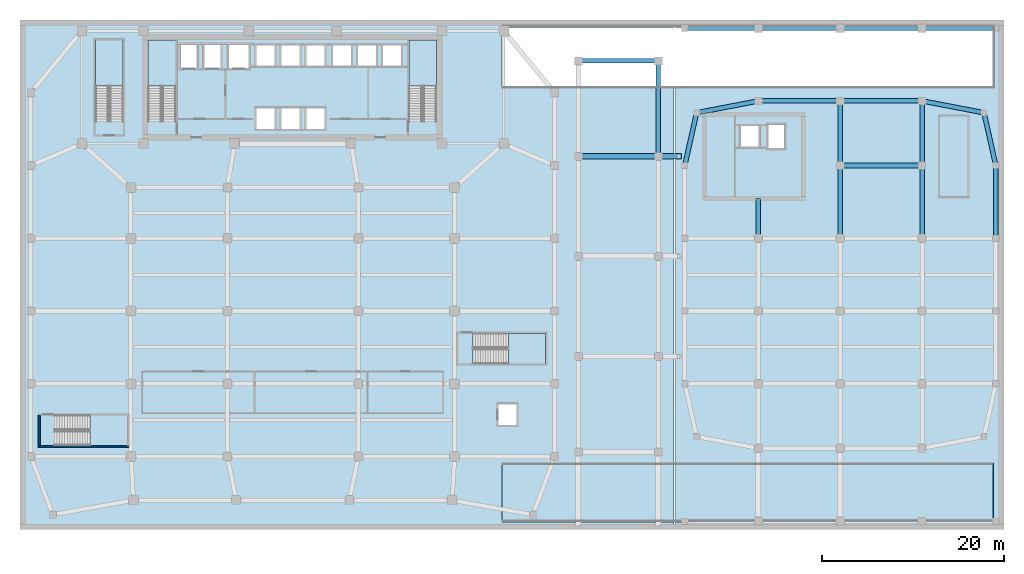
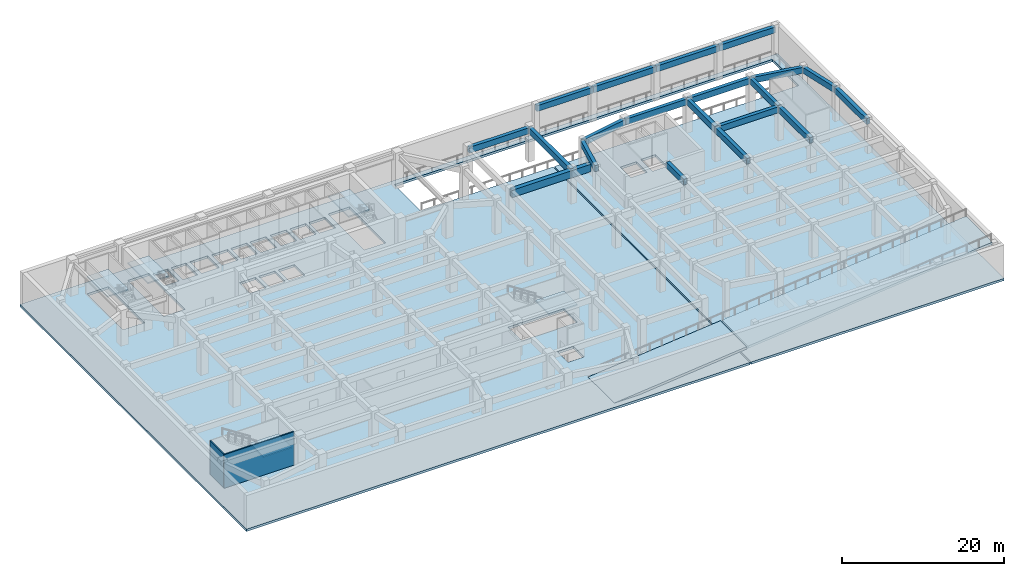
# One storey, part 3 of 14: 20 beams, 9 slabs, 2 walls, 5 elements without a shape of their own.
"""IFC4 building model written with IfcOpenShell, lengths in metres."""

import ifcopenshell
import ifcopenshell.guid

model = None  # the IFC model being written
_history = None  # IfcOwnerHistory: only IFC2X3 demands one
_inside = {}  # id of a spatial element -> (the spatial element, [elements in it])
_under = {}  # id of a project, library or spatial element -> (it, [spatial elements below it])
_declared = {}  # id of a project -> (the project, [libraries it declares])
_typed = {}  # id of a type object -> (the type object, [elements of that type])
_made_of = {}  # id of a material, layer set ... -> (it, [elements and type objects made of it])


def new_model(schema):
    """Start an empty IFC model of exactly this schema.

    Asked for "IFC4X3", IfcOpenShell would pick the latest addendum, in which some entities
    have other attributes; the version numbers below select the first issue.
    IFC2X3 requires an IfcOwnerHistory on every rooted entity: one is made here for all.
    """
    global model, _history
    if schema == "IFC4X3":
        model = ifcopenshell.file(schema_version=(4, 3, 0, 0))
    else:
        model = ifcopenshell.file(schema=schema)
    _inside.clear()
    _under.clear()
    _declared.clear()
    _typed.clear()
    _made_of.clear()
    _history = None
    if model.schema == "IFC2X3":
        org = make("IfcOrganization", Name="unknown")
        user = make(
            "IfcPersonAndOrganization",
            ThePerson=make("IfcPerson", FamilyName="unknown"),
            TheOrganization=org,
        )
        app = make(
            "IfcApplication",
            ApplicationDeveloper=org,
            Version="unknown",
            ApplicationFullName="unknown",
            ApplicationIdentifier="unknown",
        )
        _history = make(
            "IfcOwnerHistory",
            OwningUser=user,
            OwningApplication=app,
            ChangeAction="ADDED",
            CreationDate=0,
        )
    return model


def make(cls, **values):
    """One entity of the class cls with the attributes given. An attribute that is None is left unset."""
    return model.create_entity(
        cls, **{name: value for name, value in values.items() if value is not None}
    )


def rooted(cls, **values):
    """An entity with a GlobalId (a new one), such as an element, a storey or a relation."""
    return make(cls, GlobalId=ifcopenshell.guid.new(), OwnerHistory=_history, **values)


def si_unit(unit_type, name, prefix=None):
    """IfcSIUnit, for example si_unit("LENGTHUNIT", "METRE", prefix="MILLI")."""
    return make("IfcSIUnit", UnitType=unit_type, Prefix=prefix, Name=name)


def assignment(units):
    """IfcUnitAssignment: the units of a project."""
    return None if units is None else make("IfcUnitAssignment", Units=units)


def point(xyz):
    """IfcCartesianPoint."""
    return None if xyz is None else make("IfcCartesianPoint", Coordinates=xyz)


def direction(xyz):
    """IfcDirection."""
    return None if xyz is None else make("IfcDirection", DirectionRatios=xyz)


def frame(location, z_axis=None, x_axis=None):
    """IfcAxis2Placement3D, a coordinate frame: its origin and axes. An axis left out is left unset."""
    return make(
        "IfcAxis2Placement3D",
        Location=point(location),
        Axis=direction(z_axis),
        RefDirection=direction(x_axis),
    )


def frame_2d(location, x_axis=None):
    """IfcAxis2Placement2D, a coordinate frame in the plane: its origin and x axis."""
    return make(
        "IfcAxis2Placement2D", Location=point(location), RefDirection=direction(x_axis)
    )


def origin():
    """The frame at (0, 0, 0) with its axes left unset."""
    return frame((0.0, 0.0, 0.0))


def origin_2d():
    """The frame at (0, 0) in the plane with its x axis left unset."""
    return frame_2d((0.0, 0.0))


def place(relative_to, where):
    """IfcLocalPlacement: puts the frame where relative to a parent placement (None: the world)."""
    return make(
        "IfcLocalPlacement", PlacementRelTo=relative_to, RelativePlacement=where
    )


def context(
    kind, dimensions, precision=None, world=None, true_north=None, identifier=None
):
    """IfcGeometricRepresentationContext, for example the 3D "Model" context."""
    return make(
        "IfcGeometricRepresentationContext",
        ContextIdentifier=identifier,
        ContextType=kind,
        CoordinateSpaceDimension=dimensions,
        Precision=precision,
        WorldCoordinateSystem=world,
        TrueNorth=true_north,
    )


def subcontext(parent, identifier, kind, view, scale=None):
    """IfcGeometricRepresentationSubContext, for example "Body" below "Model"."""
    return make(
        "IfcGeometricRepresentationSubContext",
        ContextIdentifier=identifier,
        ContextType=kind,
        ParentContext=parent,
        TargetScale=scale,
        TargetView=view,
    )


def project(units=None, contexts=None):
    """IfcProject with its units and contexts."""
    return rooted(
        "IfcProject",
        Name="project",
        RepresentationContexts=contexts,
        UnitsInContext=assignment(units),
    )


def spatial(cls, under=None, at=None, **own):
    """A site, building, storey or space (cls), placed at a placement, below another one or the project."""
    s = rooted(cls, ObjectPlacement=at, **own)
    if under is not None:
        _under.setdefault(under.id(), (under, []))[1].append(s)
    return s


def polyline(points):
    """IfcPolyline through the points."""
    return make("IfcPolyline", Points=[point(p) for p in points])


def profile(cls, at=None, kind="AREA", **sizes):
    """A parametric profile (cls). Its sizes go by their IFC names, for example OverallWidth=200.0."""
    return make(cls, ProfileType=kind, Position=at, **sizes)


def rectangle(**sizes):
    """IfcRectangleProfileDef."""
    return profile("IfcRectangleProfileDef", **sizes)


def outline(outer, holes=None, kind="AREA"):
    """IfcArbitraryClosedProfileDef: a profile drawn as a closed curve; with holes, ...WithVoids."""
    if holes is None:
        return make("IfcArbitraryClosedProfileDef", ProfileType=kind, OuterCurve=outer)
    return make(
        "IfcArbitraryProfileDefWithVoids",
        ProfileType=kind,
        OuterCurve=outer,
        InnerCurves=holes,
    )


def extrude(swept, where, along, depth):
    """IfcExtrudedAreaSolid: the profile swept, set in the frame where, extruded along a direction by depth."""
    return make(
        "IfcExtrudedAreaSolid",
        SweptArea=swept,
        Position=where,
        ExtrudedDirection=direction(along),
        Depth=depth,
    )


def shape(context_of_items, identifier, shape_type, items):
    """IfcShapeRepresentation: the items that make up one representation, for example the "Body"."""
    return make(
        "IfcShapeRepresentation",
        ContextOfItems=context_of_items,
        RepresentationIdentifier=identifier,
        RepresentationType=shape_type,
        Items=items,
    )


def material(Name=None, Category=None):
    """IfcMaterial."""
    return make("IfcMaterial", Name=Name, Category=Category)


def layer(
    of_material, thickness, ventilated=None, Name=None, Category=None, Priority=None
):
    """IfcMaterialLayer: one layer of a wall or slab, of a material (None: an air gap)."""
    return make(
        "IfcMaterialLayer",
        Material=of_material,
        LayerThickness=thickness,
        IsVentilated=ventilated,
        Name=Name,
        Category=Category,
        Priority=Priority,
    )


def layer_set(layers, Name=None):
    """IfcMaterialLayerSet."""
    return make("IfcMaterialLayerSet", MaterialLayers=layers, LayerSetName=Name)


def material_profile(
    of_material, cross_section, Name=None, Category=None, Priority=None
):
    """IfcMaterialProfile: a cross section and its material."""
    return make(
        "IfcMaterialProfile",
        Name=Name,
        Material=of_material,
        Profile=cross_section,
        Priority=Priority,
        Category=Category,
    )


def profile_set(profiles, Name=None, composite=None):
    """IfcMaterialProfileSet."""
    return make(
        "IfcMaterialProfileSet",
        Name=Name,
        MaterialProfiles=profiles,
        CompositeProfile=composite,
    )


def made_of(thing, what):
    """Note that an element or type object is made of a material, layer set ...; save() writes the relation."""
    if what is not None:
        _made_of.setdefault(what.id(), (what, []))[1].append(thing)
    return thing


def type_object(cls, material=None, **own):
    """A type object (cls), such as IfcWallType, which elements share."""
    return made_of(rooted(cls, **own), material)


def element(
    cls,
    number,
    at=None,
    inside=None,
    cuts=None,
    type_object=None,
    material=None,
    context=None,
    identifier="Body",
    shape_type=None,
    held_by="IfcProductDefinitionShape",
    body=None,
    shapes=None,
    **own,
):
    """One element of the class cls, such as IfcWall. Its Tag is "e" and its number.

    at: its placement. inside: the storey or other place that contains it. cuts: it is an
    opening in that element (IfcRelVoidsElement). A single representation is given by context,
    identifier, shape_type and body (its items); several are given by shapes. held_by: the class
    of the entity that holds the representations. save() writes the other relations.
    """
    e = rooted(cls, Tag="e%d" % number, ObjectPlacement=at, **own)
    if body is not None:
        shapes = [shape(context, identifier, shape_type, body)]
    if shapes is not None:
        e.Representation = make(held_by, Representations=shapes)
    if inside is not None:
        _inside.setdefault(inside.id(), (inside, []))[1].append(e)
    if cuts is not None:
        rooted(
            "IfcRelVoidsElement", RelatingBuildingElement=cuts, RelatedOpeningElement=e
        )
    if type_object is not None:
        _typed.setdefault(type_object.id(), (type_object, []))[1].append(e)
    return made_of(e, material)


def aggregate(whole, parts):
    """IfcRelAggregates: a whole, such as a stair, and the parts it consists of."""
    return rooted("IfcRelAggregates", RelatingObject=whole, RelatedObjects=parts)


def save(model, path):
    """Write the relations noted so far, then the file.

    IfcRelAggregates (storeys below a building ...), IfcRelContainedInSpatialStructure (elements
    in a storey), IfcRelDefinesByType, IfcRelAssociatesMaterial and IfcRelDeclares: one each for
    every whole, place, type object, material and project.
    """
    for whole, parts in _under.values():
        aggregate(whole, parts)
    for where, things in _inside.values():
        rooted(
            "IfcRelContainedInSpatialStructure",
            RelatedElements=things,
            RelatingStructure=where,
        )
    for kind, things in _typed.values():
        rooted("IfcRelDefinesByType", RelatedObjects=things, RelatingType=kind)
    for what, things in _made_of.values():
        rooted("IfcRelAssociatesMaterial", RelatedObjects=things, RelatingMaterial=what)
    for by, libraries in _declared.values():
        rooted("IfcRelDeclares", RelatingContext=by, RelatedDefinitions=libraries)
    model.write(path)


model = new_model("IFC4")

# Units and contexts
model_context = context("Model", 3, precision=1e-05, world=origin(), true_north=direction((0.0, 1.0)))
body_context = subcontext(model_context, "Body", "Model", "MODEL_VIEW")
ifc_project = project(units=[si_unit("LENGTHUNIT", "METRE"), si_unit("AREAUNIT", "SQUARE_METRE"), si_unit("VOLUMEUNIT", "CUBIC_METRE"), si_unit("PLANEANGLEUNIT", "RADIAN"), si_unit("MASSUNIT", "GRAM", prefix="KILO")], contexts=[model_context])

# Site, building, storey
site_placement = place(None, origin())
site = spatial("IfcSite", under=ifc_project, at=site_placement, CompositionType="ELEMENT")
building_placement = place(site_placement, origin())
building = spatial("IfcBuilding", under=site, at=building_placement, Name="Saevonmaru Cultural Tower", CompositionType="ELEMENT")
storey_placement = place(building_placement, frame((0.0, 0.0, -5.39990234375)))
storey = spatial("IfcBuildingStorey", under=building, at=storey_placement, Name="B1", CompositionType="ELEMENT", Elevation=-5.39990234375)

# Beams
ifc_material_1 = material(Name="Concrete C60/75", Category="concrete")
ifc_material_profile_1 = material_profile(ifc_material_1, rectangle(XDim=0.60009765625, YDim=1.10009765625, at=origin_2d()), Name="RC-CB-600x1100")
ifc_profile_set_1 = profile_set([ifc_material_profile_1], Name="Concrete C60/75")
beam_type_1 = type_object("IfcBeamType", Name="BM-CB-RC600x1100", PredefinedType="LINTEL", material=ifc_profile_set_1)
beam_1_placement = place(storey_placement, frame((61.4599609375, 41.0, 4.419921875), z_axis=(1.0, 0.0, 0.0), x_axis=(0.0, 1.0, 0.0)))
element("IfcBeam", 1, at=beam_1_placement, inside=storey, type_object=beam_type_1, Name="BM-PLZ-EW-4-B1", PredefinedType="LINTEL", context=body_context, shape_type="SweptSolid", body=[
    extrude(rectangle(XDim=0.60009765625, YDim=1.10009765625, at=origin_2d()), origin(), (0.0, 0.0, 1.0), 11.2900390625),
])
ifc_material_2 = material(Name="Concrete C50/60", Category="concrete")
ifc_material_profile_2 = material_profile(ifc_material_2, rectangle(XDim=0.5, YDim=0.89990234375, at=origin_2d()), Name="RC-BM-500x900")
ifc_profile_set_2 = profile_set([ifc_material_profile_2], Name="Concrete C50/60")
beam_type_2 = type_object("IfcBeamType", Name="BM-RC-500x900", PredefinedType="BEAM", material=ifc_profile_set_2)
beam_2_placement = place(storey_placement, frame((70.199951171875, 41.06005859375, 4.599853515625), z_axis=(0.0, 1.0, 0.0), x_axis=(-1.0, 0.0, 0.0)))
element("IfcBeam", 2, at=beam_2_placement, inside=storey, type_object=beam_type_2, Name="BM-PLZ-NSE-4-B1", PredefinedType="BEAM", context=body_context, shape_type="SweptSolid", body=[
    extrude(rectangle(XDim=0.5, YDim=0.89990234375, at=origin_2d()), origin(), (0.0, 0.0, 1.0), 10.3798828125),
])
beam_3_placement = place(storey_placement, frame((61.4599609375, 51.5, 4.599853515625), z_axis=(1.0, 0.0, 0.0), x_axis=(0.0, 1.0, 0.0)))
element("IfcBeam", 3, at=beam_3_placement, inside=storey, type_object=beam_type_2, Name="BM-PLZ-EW-5-B1", PredefinedType="BEAM", context=body_context, shape_type="SweptSolid", body=[
    extrude(rectangle(XDim=0.5, YDim=0.89990234375, at=origin_2d()), origin(), (0.0, 0.0, 1.0), 8.679931640625),
])
beam_4_placement = place(storey_placement, frame((90.260009765625, 40.0, 4.599853515625), z_axis=(1.0, 0.0, 0.0), x_axis=(0.0, 1.0, 0.0)))
element("IfcBeam", 4, at=beam_4_placement, inside=storey, type_object=beam_type_2, Name="B1 Library Girder EW-5-3", PredefinedType="BEAM", context=body_context, shape_type="SweptSolid", body=[
    extrude(rectangle(XDim=0.5, YDim=0.89990234375, at=origin_2d()), origin(), (0.0, 0.0, 1.0), 8.8798828125),
])
beam_5_placement = place(storey_placement, frame((74.458984375, 45.811279296875, 4.599853515625), z_axis=(0.982215224342, 0.187758496666, 0.0), x_axis=(-0.187758496666, 0.982215224342, 0.0)))
element("IfcBeam", 5, at=beam_5_placement, inside=storey, type_object=beam_type_2, Name="B1 Library Girder EW-6-1", PredefinedType="BEAM", context=body_context, shape_type="SweptSolid", body=[
    extrude(rectangle(XDim=0.5, YDim=0.89990234375, at=origin_2d()), origin(), (0.0, 0.0, 1.0), 6.80322265625),
])
for number, where, z_axis, x_axis, name in (
    (6, (81.260009765625, 47.10009765625, 4.599853515625), (1.0, 0.0, 0.0), (0.0, 1.0, 0.0), "B1 Library Girder EW-6-2"),
    (7, (90.260009765625, 47.10009765625, 4.599853515625), (1.0, 0.0, 0.0), (0.0, 1.0, 0.0), "B1 Library Girder EW-6-3"),
):
    element("IfcBeam", number, at=place(storey_placement, frame(where, z_axis=z_axis, x_axis=x_axis)), inside=storey, type_object=beam_type_2, Name=name, PredefinedType="BEAM", context=body_context, shape_type="SweptSolid", body=[
        extrude(rectangle(XDim=0.5, YDim=0.89990234375, at=origin_2d()), origin(), (0.0, 0.0, 1.0), 8.8798828125),
    ])
beam_6_placement = place(storey_placement, frame((99.2587890625, 47.088623046875, 4.599853515625), z_axis=(0.982216489393, -0.187751878722, 0.0), x_axis=(0.187751878722, 0.982216489393, 0.0)))
element("IfcBeam", 8, at=beam_6_placement, inside=storey, type_object=beam_type_2, Name="B1 Library Girder EW-6-4", PredefinedType="BEAM", context=body_context, shape_type="SweptSolid", body=[
    extrude(rectangle(XDim=0.5, YDim=0.89990234375, at=origin_2d()), origin(), (0.0, 0.0, 1.0), 6.803466796875),
])
beam_7_placement = place(storey_placement, frame((73.113037109375, 40.05859375, 4.599853515625), z_axis=(0.218741049138, 0.975782943806, 0.0), x_axis=(-0.975782943806, 0.218741049138, 0.0)))
element("IfcBeam", 9, at=beam_7_placement, inside=storey, type_object=beam_type_2, Name="B1 Library Girder NS-1-5", PredefinedType="BEAM", context=body_context, shape_type="SweptSolid", body=[
    extrude(rectangle(XDim=0.5, YDim=0.89990234375, at=origin_2d()), origin(), (0.0, 0.0, 1.0), 5.823974609375),
])
beam_8_placement = place(storey_placement, frame((81.199951171875, 32.06005859375, 4.599853515625), z_axis=(0.0, 1.0, 0.0), x_axis=(-1.0, 0.0, 0.0)))
element("IfcBeam", 10, at=beam_8_placement, inside=storey, type_object=beam_type_2, Name="B1 Library Core-Bearing Girder NS-2-4", PredefinedType="BEAM", context=body_context, shape_type="SweptSolid", body=[
    extrude(rectangle(XDim=0.5, YDim=0.89990234375, at=origin_2d()), origin(), (0.0, 0.0, 1.0), 4.2900390625),
])
beam_9_placement = place(storey_placement, frame((90.199951171875, 32.06005859375, 4.599853515625), z_axis=(0.0, 1.0, 0.0), x_axis=(-1.0, 0.0, 0.0)))
element("IfcBeam", 11, at=beam_9_placement, inside=storey, type_object=beam_type_2, Name="B1 Library Girder NS-3-4", PredefinedType="BEAM", context=body_context, shape_type="SweptSolid", body=[
    extrude(rectangle(XDim=0.5, YDim=0.89990234375, at=origin_2d()), origin(), (0.0, 0.0, 1.0), 7.8798828125),
])
beam_10_placement = place(storey_placement, frame((90.199951171875, 40.06005859375, 4.599853515625), z_axis=(0.0, 1.0, 0.0), x_axis=(-1.0, 0.0, 0.0)))
element("IfcBeam", 12, at=beam_10_placement, inside=storey, type_object=beam_type_2, Name="B1 Library Girder NS-3-5", PredefinedType="BEAM", context=body_context, shape_type="SweptSolid", body=[
    extrude(rectangle(XDim=0.5, YDim=0.89990234375, at=origin_2d()), origin(), (0.0, 0.0, 1.0), 6.97998046875),
])
beam_11_placement = place(storey_placement, frame((99.199951171875, 32.06005859375, 4.599853515625), z_axis=(0.0, 1.0, 0.0), x_axis=(-1.0, 0.0, 0.0)))
element("IfcBeam", 13, at=beam_11_placement, inside=storey, type_object=beam_type_2, Name="B1 Library Girder NS-4-4", PredefinedType="BEAM", context=body_context, shape_type="SweptSolid", body=[
    extrude(rectangle(XDim=0.5, YDim=0.89990234375, at=origin_2d()), origin(), (0.0, 0.0, 1.0), 7.8798828125),
])
beam_12_placement = place(storey_placement, frame((99.199951171875, 40.06005859375, 4.599853515625), z_axis=(0.0, 1.0, 0.0), x_axis=(-1.0, 0.0, 0.0)))
element("IfcBeam", 14, at=beam_12_placement, inside=storey, type_object=beam_type_2, Name="B1 Library Girder NS-4-5", PredefinedType="BEAM", context=body_context, shape_type="SweptSolid", body=[
    extrude(rectangle(XDim=0.5, YDim=0.89990234375, at=origin_2d()), origin(), (0.0, 0.0, 1.0), 6.97998046875),
])
beam_13_placement = place(storey_placement, frame((107.300048828125, 32.06005859375, 4.599853515625), z_axis=(0.0, 1.0, 0.0), x_axis=(-1.0, 0.0, 0.0)))
element("IfcBeam", 15, at=beam_13_placement, inside=storey, type_object=beam_type_2, Name="B1 Library Girder NS-5-4", PredefinedType="BEAM", context=body_context, shape_type="SweptSolid", body=[
    extrude(rectangle(XDim=0.5, YDim=0.89990234375, at=origin_2d()), origin(), (0.0, 0.0, 1.0), 7.8798828125),
])
beam_14_placement = place(storey_placement, frame((107.286865234375, 40.05859375, 4.599853515625), z_axis=(-0.218701133908, 0.975791890737, 0.0), x_axis=(-0.975791890737, -0.218701133908, 0.0)))
element("IfcBeam", 16, at=beam_14_placement, inside=storey, type_object=beam_type_2, Name="B1 Library Girder NS-5-5", PredefinedType="BEAM", context=body_context, shape_type="SweptSolid", body=[
    extrude(rectangle(XDim=0.5, YDim=0.89990234375, at=origin_2d()), origin(), (0.0, 0.0, 1.0), 5.82373046875),
])
beam_15_placement = place(storey_placement, frame((73.159912109375, 55.10009765625, 4.599853515625), z_axis=(1.0, 0.0, 0.0), x_axis=(0.0, 1.0, 0.0)))
element("IfcBeam", 17, at=beam_15_placement, inside=storey, type_object=beam_type_2, Name="BM-BS-N-1-B1", PredefinedType="BEAM", context=body_context, shape_type="SweptSolid", body=[
    extrude(rectangle(XDim=0.5, YDim=0.89990234375, at=origin_2d()), origin(), (0.0, 0.0, 1.0), 7.97998046875),
])
for number, where, z_axis, x_axis, name in (
    (18, (81.260009765625, 55.10009765625, 4.599853515625), (1.0, 0.0, 0.0), (0.0, 1.0, 0.0), "BM-BS-N-2-B1"),
    (19, (90.260009765625, 55.10009765625, 4.599853515625), (1.0, 0.0, 0.0), (0.0, 1.0, 0.0), "BM-BS-N-3-B1"),
):
    element("IfcBeam", number, at=place(storey_placement, frame(where, z_axis=z_axis, x_axis=x_axis)), inside=storey, type_object=beam_type_2, Name=name, PredefinedType="BEAM", context=body_context, shape_type="SweptSolid", body=[
        extrude(rectangle(XDim=0.5, YDim=0.89990234375, at=origin_2d()), origin(), (0.0, 0.0, 1.0), 8.8798828125),
    ])
beam_16_placement = place(storey_placement, frame((99.260009765625, 55.10009765625, 4.599853515625), z_axis=(1.0, 0.0, 0.0), x_axis=(0.0, 1.0, 0.0)))
element("IfcBeam", 20, at=beam_16_placement, inside=storey, type_object=beam_type_2, Name="BM-BS-N-4-B1", PredefinedType="BEAM", context=body_context, shape_type="SweptSolid", body=[
    extrude(rectangle(XDim=0.5, YDim=0.89990234375, at=origin_2d()), origin(), (0.0, 0.0, 1.0), 7.97998046875),
])

# Slabs
ifc_layer_1 = layer(ifc_material_2, 0.35009765625, Name="Concrete C50/60")
ifc_layer_set_1 = layer_set([ifc_layer_1], Name="Concrete C50/60")
slab_type_1 = type_object("IfcSlabType", Name="SL-FLR-350", PredefinedType="FLOOR", material=ifc_layer_set_1)
slab_1_placement = place(storey_placement, frame((0.0, 0.0, -0.35009765625)))
element("IfcSlab", 21, at=slab_1_placement, inside=storey, type_object=slab_type_1, Name="B1 Metro Concourse West Structural Floor Slab", PredefinedType="FLOOR", context=body_context, shape_type="SweptSolid", body=[
    extrude(outline(polyline([(71.89990234375, 48.699951171875), (53.0, 48.699951171875), (53.0, 55.199951171875), (71.89990234375, 55.199951171875), (71.89990234375, 56.0), (0.0, 56.0), (0.0, 0.0), (71.89990234375, 0.0), (71.89990234375, 48.699951171875)]), holes=[polyline([(49.824951171875, 18.199951171875), (49.824951171875, 21.550048828125), (57.800048828125, 21.550048828125), (57.800048828125, 18.199951171875), (49.824951171875, 18.199951171875)]), polyline([(53.0, 0.800048828125), (53.0, 7.300048828125), (56.60009765625, 7.300048828125), (56.60009765625, 0.800048828125), (53.0, 0.800048828125)]), polyline([(52.449951171875, 11.300048828125), (52.449951171875, 13.89990234375), (54.75, 13.89990234375), (54.75, 11.300048828125), (52.449951171875, 11.300048828125)]), polyline([(42.75, 44.875), (42.75, 53.800048828125), (45.800048828125, 53.800048828125), (45.800048828125, 44.875), (42.75, 44.875)]), polyline([(39.75, 53.39990234375), (42.050048828125, 53.39990234375), (42.050048828125, 50.800048828125), (39.75, 50.800048828125), (39.75, 53.39990234375)]), polyline([(37.0, 53.39990234375), (39.300048828125, 53.39990234375), (39.300048828125, 50.800048828125), (37.0, 50.800048828125), (37.0, 53.39990234375)]), polyline([(34.25, 50.800048828125), (34.25, 53.39990234375), (36.550048828125, 53.39990234375), (36.550048828125, 50.800048828125), (34.25, 50.800048828125)]), polyline([(31.35009765625, 53.39990234375), (33.64990234375, 53.39990234375), (33.64990234375, 50.800048828125), (31.35009765625, 50.800048828125), (31.35009765625, 53.39990234375)]), polyline([(31.35009765625, 43.85009765625), (31.35009765625, 46.449951171875), (33.64990234375, 46.449951171875), (33.64990234375, 43.85009765625), (31.35009765625, 43.85009765625)]), polyline([(28.60009765625, 43.85009765625), (28.60009765625, 46.449951171875), (30.89990234375, 46.449951171875), (30.89990234375, 43.85009765625), (28.60009765625, 43.85009765625)]), polyline([(28.60009765625, 53.39990234375), (30.89990234375, 53.39990234375), (30.89990234375, 50.800048828125), (28.60009765625, 50.800048828125), (28.60009765625, 53.39990234375)]), polyline([(25.85009765625, 50.800048828125), (25.85009765625, 53.39990234375), (28.14990234375, 53.39990234375), (28.14990234375, 50.800048828125), (25.85009765625, 50.800048828125)]), polyline([(25.85009765625, 43.85009765625), (25.85009765625, 46.449951171875), (28.14990234375, 46.449951171875), (28.14990234375, 43.85009765625), (25.85009765625, 43.85009765625)]), polyline([(22.800048828125, 53.449951171875), (25.300048828125, 53.449951171875), (25.300048828125, 50.550048828125), (22.800048828125, 50.550048828125), (22.800048828125, 53.449951171875)]), polyline([(20.10009765625, 53.449951171875), (22.199951171875, 53.449951171875), (22.199951171875, 50.550048828125), (20.10009765625, 50.550048828125), (20.10009765625, 53.449951171875)]), polyline([(17.5, 50.550048828125), (17.5, 53.449951171875), (19.60009765625, 53.449951171875), (19.60009765625, 50.550048828125), (17.5, 50.550048828125)]), polyline([(14.10009765625, 44.875), (14.10009765625, 53.800048828125), (17.14990234375, 53.800048828125), (17.14990234375, 44.875), (14.10009765625, 44.875)]), polyline([(3.824951171875, 9.199951171875), (3.824951171875, 12.550048828125), (11.800048828125, 12.550048828125), (11.800048828125, 9.199951171875), (3.824951171875, 9.199951171875)]), polyline([(8.300048828125, 44.875), (8.300048828125, 53.800048828125), (11.35009765625, 53.800048828125), (11.35009765625, 44.875), (8.300048828125, 44.875)])]), origin(), (0.0, 0.0, 1.0), 0.35009765625),
])
slab_2_placement = place(storey_placement, frame((0.0, 0.0, -0.35009765625)))
element("IfcSlab", 22, at=slab_2_placement, inside=storey, type_object=slab_type_1, Name="B1 East Car Park Structural Floor Slab", PredefinedType="FLOOR", context=body_context, shape_type="SweptSolid", body=[
    extrude(outline(polyline([(72.10009765625, 55.199951171875), (107.0, 55.199951171875), (107.0, 48.699951171875), (72.10009765625, 48.699951171875), (72.10009765625, 0.0), (108.199951171875, 0.0), (108.199951171875, 56.0), (72.10009765625, 56.0), (72.10009765625, 55.199951171875)]), holes=[polyline([(82.10009765625, 44.64990234375), (84.199951171875, 44.64990234375), (84.199951171875, 41.75), (82.10009765625, 41.75), (82.10009765625, 44.64990234375)]), polyline([(79.10009765625, 44.5), (81.39990234375, 44.5), (81.39990234375, 41.89990234375), (79.10009765625, 41.89990234375), (79.10009765625, 44.5)])]), origin(), (0.0, 0.0, 1.0), 0.35009765625),
])

# Stair, slab
ifc_material_3 = material(Name="Concrete C40/50", Category="concrete")
stair_type_1 = type_object("IfcStairType", Name="STR-DOGLEG-RC-1600", PredefinedType="HALF_TURN_STAIR", material=ifc_material_3)
stair_1_placement = place(storey_placement, origin())
stair_1 = element("IfcStair", 23, at=stair_1_placement, inside=storey, type_object=stair_type_1, Name="B1 Protected exit stair SST-1", PredefinedType="HALF_TURN_STAIR")
ifc_layer_2 = layer(ifc_material_3, 0.199951171875, Name="Concrete C40/50")
ifc_layer_set_2 = layer_set([ifc_layer_2], Name="Concrete C40/50")
slab_type_2 = type_object("IfcSlabType", Name="SL-STAIR-LANDING", PredefinedType="LANDING", material=ifc_layer_set_2)
slab_3_placement = place(storey_placement, frame((0.0, 0.0, 2.5)))
slab_3 = element("IfcSlab", 24, at=slab_3_placement, type_object=slab_type_2, Name="SST-1-B1 landing 1", PredefinedType="LANDING", context=body_context, shape_type="SweptSolid", body=[
    extrude(outline(polyline([(7.719970703125, 9.199951171875), (11.800048828125, 9.199951171875), (11.800048828125, 12.550048828125), (7.719970703125, 12.550048828125), (7.719970703125, 9.199951171875)])), origin(), (0.0, 0.0, 1.0), 0.199951171875),
])
aggregate(stair_1, [slab_3])

stair_2_placement = place(storey_placement, origin())
stair_2 = element("IfcStair", 25, at=stair_2_placement, inside=storey, type_object=stair_type_1, Name="B1 Protected exit stair SST-2", PredefinedType="HALF_TURN_STAIR")
slab_4_placement = place(storey_placement, frame((0.0, 0.0, 2.5)))
slab_4 = element("IfcSlab", 26, at=slab_4_placement, type_object=slab_type_2, Name="SST-2-B1 landing 1", PredefinedType="LANDING", context=body_context, shape_type="SweptSolid", body=[
    extrude(outline(polyline([(53.719970703125, 18.199951171875), (57.800048828125, 18.199951171875), (57.800048828125, 21.550048828125), (53.719970703125, 21.550048828125), (53.719970703125, 18.199951171875)])), origin(), (0.0, 0.0, 1.0), 0.199951171875),
])
aggregate(stair_2, [slab_4])

stair_type_2 = type_object("IfcStairType", Name="STR-DOGLEG-RC", PredefinedType="HALF_TURN_STAIR", material=ifc_material_3)
stair_3_placement = place(storey_placement, origin())
stair_3 = element("IfcStair", 27, at=stair_3_placement, inside=storey, type_object=stair_type_2, Name="B1 Protected exit stair ST-1", PredefinedType="HALF_TURN_STAIR")
slab_5_placement = place(storey_placement, frame((0.0, 0.0, 2.5)))
slab_5 = element("IfcSlab", 28, at=slab_5_placement, type_object=slab_type_2, Name="ST-1-B1 landing 1", PredefinedType="LANDING", context=body_context, shape_type="SweptSolid", body=[
    extrude(outline(polyline([(17.14990234375, 48.77001953125), (17.14990234375, 53.800048828125), (14.10009765625, 53.800048828125), (14.10009765625, 48.77001953125), (17.14990234375, 48.77001953125)])), origin(), (0.0, 0.0, 1.0), 0.199951171875),
])
aggregate(stair_3, [slab_5])

stair_4_placement = place(storey_placement, origin())
stair_4 = element("IfcStair", 29, at=stair_4_placement, inside=storey, type_object=stair_type_2, Name="B1 Protected exit stair ST-2", PredefinedType="HALF_TURN_STAIR")
slab_6_placement = place(storey_placement, frame((0.0, 0.0, 2.5)))
slab_6 = element("IfcSlab", 30, at=slab_6_placement, type_object=slab_type_2, Name="ST-2-B1 landing 1", PredefinedType="LANDING", context=body_context, shape_type="SweptSolid", body=[
    extrude(outline(polyline([(45.800048828125, 48.77001953125), (45.800048828125, 53.800048828125), (42.75, 53.800048828125), (42.75, 48.77001953125), (45.800048828125, 48.77001953125)])), origin(), (0.0, 0.0, 1.0), 0.199951171875),
])
aggregate(stair_4, [slab_6])

stair_5_placement = place(storey_placement, origin())
stair_5 = element("IfcStair", 31, at=stair_5_placement, inside=storey, type_object=stair_type_2, Name="B1 Protected exit stair ST-3", PredefinedType="HALF_TURN_STAIR")
slab_7_placement = place(storey_placement, frame((0.0, 0.0, 2.5)))
slab_7 = element("IfcSlab", 32, at=slab_7_placement, type_object=slab_type_2, Name="ST-3-B1 landing 1", PredefinedType="LANDING", context=body_context, shape_type="SweptSolid", body=[
    extrude(outline(polyline([(11.35009765625, 48.77001953125), (11.35009765625, 53.800048828125), (8.300048828125, 53.800048828125), (8.300048828125, 48.77001953125), (11.35009765625, 48.77001953125)])), origin(), (0.0, 0.0, 1.0), 0.199951171875),
])
aggregate(stair_5, [slab_7])

# Slabs
ifc_layer_3 = layer(ifc_material_2, 0.35009765625, Name="Concrete C50/60")
ifc_layer_set_3 = layer_set([ifc_layer_3], Name="Concrete C50/60")
slab_type_3 = type_object("IfcSlabType", Name="SL-VRAMP-350", PredefinedType="FLOOR", material=ifc_layer_set_3)
slab_8_placement = place(storey_placement, frame((53.0, 0.800048828125, 0.0), z_axis=(-0.099498628541, 0.0, 0.995037699245), x_axis=(0.995037699245, 0.0, 0.099498628541)))
element("IfcSlab", 33, at=slab_8_placement, inside=storey, type_object=slab_type_3, Name="B1 Car Park Structural Vehicle Ramp Slab VR-1 West", PredefinedType="FLOOR", context=body_context, shape_type="SweptSolid", body=[
    extrude(outline(polyline([(0.0, 0.0), (18.99415706369037, 0.0), (18.99415706369037, 6.500000000000002), (0.0, 6.500000000000002), (0.0, 0.0)])), origin(), (0.0, 0.0, -1.0), 0.35009765625),
])
slab_9_placement = place(storey_placement, frame((72.10009765625, 0.800048828125, 1.909912109375), z_axis=(-0.099503719021, 0.0, 0.99503719021), x_axis=(0.99503719021, 0.0, 0.099503719021)))
element("IfcSlab", 34, at=slab_9_placement, inside=storey, type_object=slab_type_3, Name="B1 Car Park Structural Vehicle Ramp Slab VR-1 East", PredefinedType="FLOOR", context=body_context, shape_type="SweptSolid", body=[
    extrude(outline(polyline([(0.0, 0.0), (35.07396777439529, 0.0), (35.07396777439529, 6.5), (0.0, 6.5), (0.0, 0.0)])), origin(), (0.0, 0.0, -1.0), 0.35009765625),
])

# Walls
ifc_layer_4 = layer(ifc_material_3, 0.179931640625, Name="Concrete C40/50")
ifc_layer_set_4 = layer_set([ifc_layer_4], Name="Concrete C40/50")
wall_type = type_object("IfcWallType", Name="WL-STSHAFT-180", PredefinedType="SHEAR", material=ifc_layer_set_4)
wall_1_placement = place(storey_placement, frame((11.97998046875, 9.110107421875, 0.0), z_axis=(0.0, 0.0, 1.0), x_axis=(-1.0, 0.0, 0.0)))
element("IfcWall", 35, at=wall_1_placement, inside=storey, type_object=wall_type, Name="B1 Stair SST-1 Structural Shaft Wall 3", PredefinedType="SHEAR", context=body_context, shape_type="SweptSolid", body=[
    extrude(rectangle(XDim=9.9599609375, YDim=0.179931640625, at=frame_2d((4.97998046875, 0.0))), origin(), (0.0, 0.0, 1.0), 5.0498046875),
])
wall_2_placement = place(storey_placement, frame((2.110107421875, 9.199951171875, 0.0), z_axis=(0.0, 0.0, 1.0), x_axis=(0.0, 1.0, 0.0)))
element("IfcWall", 36, at=wall_2_placement, inside=storey, type_object=wall_type, Name="B1 Stair SST-1 Structural Shaft Wall 4", PredefinedType="SHEAR", context=body_context, shape_type="SweptSolid", body=[
    extrude(rectangle(XDim=3.35009765625, YDim=0.179931640625, at=frame_2d((1.675048828125, 0.0))), origin(), (0.0, 0.0, 1.0), 5.0498046875),
])

save(model, "model.ifc")
